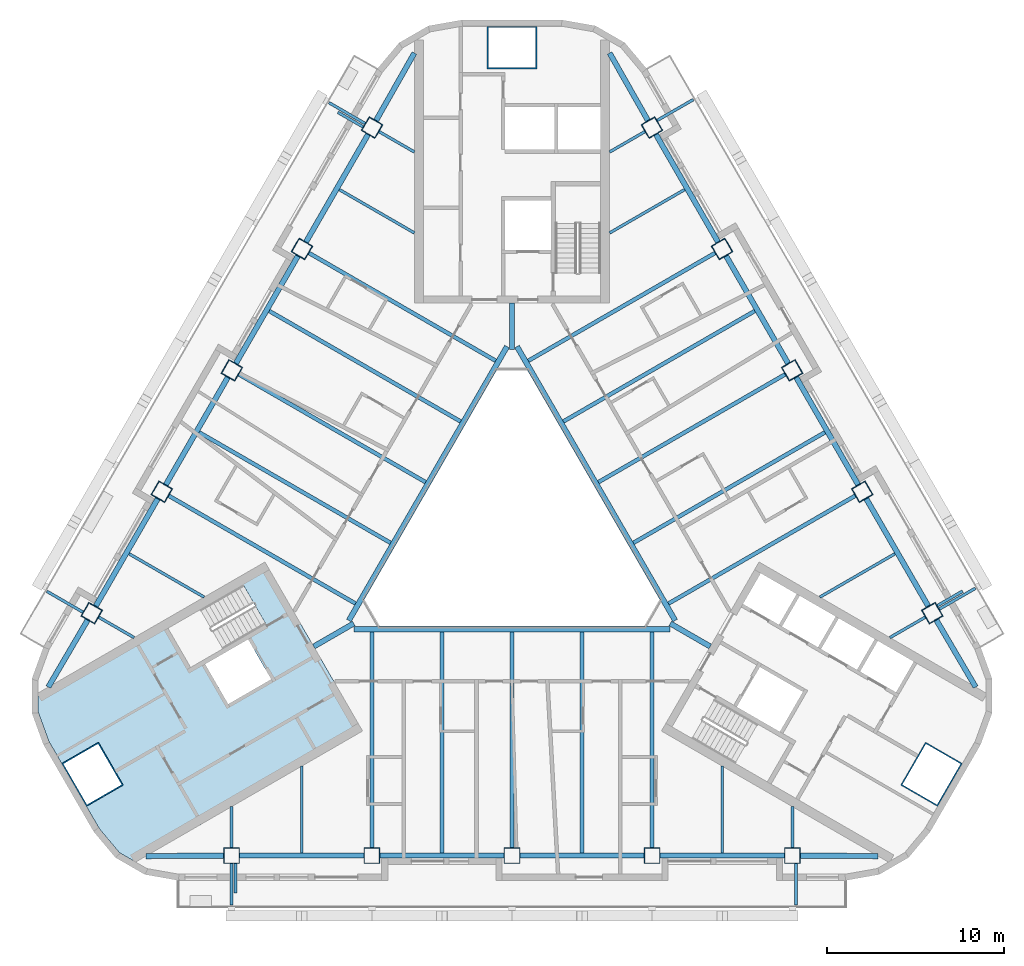
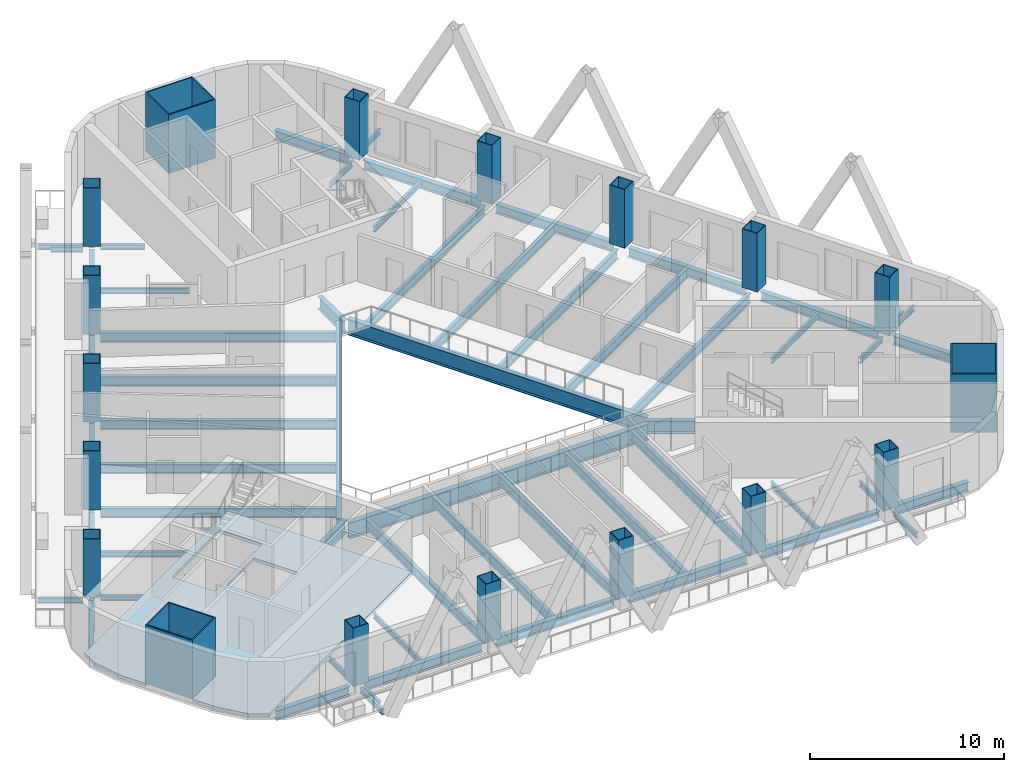
# One storey, part 1 of 14: 60 beams, 18 columns, 1 slab.
"""IFC4 building model written with IfcOpenShell, lengths in metres."""

from ifc_helpers import new_model, si_unit, direction, frame, origin, origin_2d, place, context, subcontext, project, spatial, polyline, rectangle, hollow_rectangle, i_section, outline, extrude, material, layer, layer_set, material_profile, profile_set, type_object, element, save


model = new_model("IFC4")

# Units and contexts
model_context = context("Model", 3, precision=1e-05, world=origin(), true_north=direction((0.0, 1.0)))
body_context = subcontext(model_context, "Body", "Model", "MODEL_VIEW")
ifc_project = project(units=[si_unit("LENGTHUNIT", "METRE"), si_unit("AREAUNIT", "SQUARE_METRE"), si_unit("VOLUMEUNIT", "CUBIC_METRE"), si_unit("PLANEANGLEUNIT", "RADIAN"), si_unit("MASSUNIT", "GRAM", prefix="KILO")], contexts=[model_context])

# Site, building, storey
site_placement = place(None, origin())
site = spatial("IfcSite", under=ifc_project, at=site_placement, CompositionType="ELEMENT")
building_placement = place(site_placement, origin())
building = spatial("IfcBuilding", under=site, at=building_placement, Name="Apuvela Tower Hotel", CompositionType="ELEMENT")
storey_placement = place(building_placement, frame((0.0, 0.0, 90.89990234375)))
storey = spatial("IfcBuildingStorey", under=building, at=storey_placement, Name="L20", CompositionType="ELEMENT", Elevation=90.89990234375)

# Columns
ifc_material_1 = material(Name="Steel S460", Category="steel")
ifc_material_profile_1 = material_profile(ifc_material_1, hollow_rectangle(XDim=2.800048828125, YDim=2.39990234375, WallThickness=0.070068359375, at=origin_2d()), Name="BOX 2800x2400x70")
ifc_material_2 = material(Name="Concrete C80/95", Category="concrete")
ifc_material_profile_2 = material_profile(ifc_material_2, rectangle(XDim=2.659912109375, YDim=2.260009765625, at=origin_2d()), Name="Concrete C80/95 infill")
ifc_profile_set_1 = profile_set([ifc_material_profile_1, ifc_material_profile_2], Name="Steel S460")
column_type_1 = type_object("IfcColumnType", Name="STR-MC mega column BOX 2800x2400x70", PredefinedType="COLUMN", material=ifc_profile_set_1)
for number, where, z_axis, x_axis, name in (
    (1, (0.0, 27.300048828125, 0.0), (0.0, 0.0, 1.0), (1.0, 0.0, 0.0), "Mega column MC2 N"),
    (2, (-23.642578125, -13.64990234375, 0.0), (0.0, 0.0, 1.0), (-0.5, 0.866025403784, 0.0), "Mega column MC2 SW"),
    (3, (23.642578125, -13.64990234375, 0.0), (0.0, 0.0, 1.0), (0.5, 0.866025403784, 0.0), "Mega column MC2 SE"),
):
    element("IfcColumn", number, at=place(storey_placement, frame(where, z_axis=z_axis, x_axis=x_axis)), inside=storey, type_object=column_type_1, Name=name, PredefinedType="COLUMN", context=body_context, shape_type="SweptSolid", body=[
        extrude(hollow_rectangle(XDim=2.800048828125, YDim=2.39990234375, WallThickness=0.070068359375, at=origin_2d()), origin(), (0.0, 0.0, 1.0), 3.7001953125),
    ])
ifc_material_profile_3 = material_profile(ifc_material_1, hollow_rectangle(XDim=0.89990234375, YDim=0.89990234375, WallThickness=0.0400390625, at=origin_2d()), Name="BOX 900x900x40")
ifc_material_profile_4 = material_profile(ifc_material_2, rectangle(XDim=0.820068359375, YDim=0.820068359375, at=origin_2d()), Name="Concrete C80/95 infill")
ifc_profile_set_2 = profile_set([ifc_material_profile_3, ifc_material_profile_4], Name="Steel S460")
column_type_2 = type_object("IfcColumnType", Name="STR-PC perimeter column BOX 900x900x40", PredefinedType="COLUMN", material=ifc_profile_set_2)
for number, where, z_axis, x_axis, name in (
    (4, (-15.800048828125, -18.22998046875, 0.0), (0.0, 0.0, 1.0), (-1.0, 0.0, 0.0), "Perimeter column C3 S1"),
    (5, (-7.89990234375, -18.22998046875, 0.0), (0.0, 0.0, 1.0), (-1.0, 0.0, 0.0), "Perimeter column C3 S2"),
    (6, (0.0, -18.22998046875, 0.0), (0.0, 0.0, 1.0), (-1.0, 0.0, 0.0), "Perimeter column C3 S3"),
    (7, (7.89990234375, -18.22998046875, 0.0), (0.0, 0.0, 1.0), (-1.0, 0.0, 0.0), "Perimeter column C3 S4"),
    (8, (15.800048828125, -18.22998046875, 0.0), (0.0, 0.0, 1.0), (-1.0, 0.0, 0.0), "Perimeter column C3 S5"),
    (9, (23.6875, -4.568115234375, 0.0), (0.0, 0.0, 1.0), (-0.5, 0.866025403784, 0.0), "Perimeter column C3 NE1"),
    (10, (19.737548828125, 2.2734375, 0.0), (0.0, 0.0, 1.0), (-0.5, 0.866025403784, 0.0), "Perimeter column C3 NE2"),
    (11, (15.78759765625, 9.114990234375, 0.0), (0.0, 0.0, 1.0), (-0.5, 0.866025403784, 0.0), "Perimeter column C3 NE3"),
    (12, (11.837646484375, 15.95654296875, 0.0), (0.0, 0.0, 1.0), (-0.5, 0.866025403784, 0.0), "Perimeter column C3 NE4"),
    (13, (7.8876953125, 22.798095703125, 0.0), (0.0, 0.0, 1.0), (-0.5, 0.866025403784, 0.0), "Perimeter column C3 NE5"),
    (14, (-7.8876953125, 22.798095703125, 0.0), (0.0, 0.0, 1.0), (0.5, 0.866025403784, 0.0), "Perimeter column C3 NW1"),
    (15, (-11.837646484375, 15.95654296875, 0.0), (0.0, 0.0, 1.0), (0.5, 0.866025403784, 0.0), "Perimeter column C3 NW2"),
    (16, (-15.78759765625, 9.114990234375, 0.0), (0.0, 0.0, 1.0), (0.5, 0.866025403784, 0.0), "Perimeter column C3 NW3"),
    (17, (-19.737548828125, 2.2734375, 0.0), (0.0, 0.0, 1.0), (0.5, 0.866025403784, 0.0), "Perimeter column C3 NW4"),
    (18, (-23.6875, -4.568115234375, 0.0), (0.0, 0.0, 1.0), (0.5, 0.866025403784, 0.0), "Perimeter column C3 NW5"),
):
    element("IfcColumn", number, at=place(storey_placement, frame(where, z_axis=z_axis, x_axis=x_axis)), inside=storey, type_object=column_type_2, Name=name, PredefinedType="COLUMN", context=body_context, shape_type="SweptSolid", body=[
        extrude(hollow_rectangle(XDim=0.89990234375, YDim=0.89990234375, WallThickness=0.0400390625, at=origin_2d()), origin(), (0.0, 0.0, 1.0), 3.7001953125),
    ])

# Beams
ifc_material_3 = material(Name="Steel S355", Category="steel")
ifc_material_profile_5 = material_profile(ifc_material_3, i_section(OverallWidth=0.159912109375, OverallDepth=0.330078125, WebThickness=0.007568359375, FlangeThickness=0.011474609375, at=origin_2d()), Name="IPE 330")
ifc_profile_set_3 = profile_set([ifc_material_profile_5], Name="Steel S355")
beam_type_1 = type_object("IfcBeamType", Name="ENV-BALCONY-BEAM-IPE330", PredefinedType="BEAM", material=ifc_profile_set_3)
beam_1_placement = place(storey_placement, frame((-15.800048828125, -18.679931640625, -0.31494140625), z_axis=(0.0, -1.0, 0.0), x_axis=(1.0, 0.0, 0.0)))
element("IfcBeam", 19, at=beam_1_placement, inside=storey, type_object=beam_type_1, Name="Balcony cantilever beam S1 L20", PredefinedType="BEAM", context=body_context, shape_type="SweptSolid", body=[
    extrude(i_section(OverallWidth=0.159912109375, OverallDepth=0.330078125, WebThickness=0.007568359375, FlangeThickness=0.011474609375, at=origin_2d()), origin(), (0.0, 0.0, 1.0), 2.35009765625),
])
beam_2_placement = place(storey_placement, frame((-15.580078125, -18.679931640625, -0.31494140625), z_axis=(0.0, -1.0, 0.0), x_axis=(1.0, 0.0, 0.0)))
element("IfcBeam", 20, at=beam_2_placement, inside=storey, type_object=beam_type_1, Name="Balcony cantilever beam S2 L20", PredefinedType="BEAM", context=body_context, shape_type="SweptSolid", body=[
    extrude(i_section(OverallWidth=0.159912109375, OverallDepth=0.330078125, WebThickness=0.007568359375, FlangeThickness=0.011474609375, at=origin_2d()), origin(), (0.0, 0.0, 1.0), 1.650146484375),
])
for number, where, z_axis, x_axis, name in (
    (21, (16.0, -18.679931640625, -0.31494140625), (0.0, -1.0, 0.0), (1.0, 0.0, 0.0), "Balcony cantilever beam S3 L20"),
    (22, (24.077392578125, -4.34326171875, -0.31494140625), (0.866016039709, 0.500016218704, 0.0), (-0.500016218704, 0.866016039709, 0.0), "Balcony cantilever beam NE1 L20"),
):
    element("IfcBeam", number, at=place(storey_placement, frame(where, z_axis=z_axis, x_axis=x_axis)), inside=storey, type_object=beam_type_1, Name=name, PredefinedType="BEAM", context=body_context, shape_type="SweptSolid", body=[
        extrude(i_section(OverallWidth=0.159912109375, OverallDepth=0.330078125, WebThickness=0.007568359375, FlangeThickness=0.011474609375, at=origin_2d()), origin(), (0.0, 0.0, 1.0), 2.35009765625),
    ])
beam_3_placement = place(storey_placement, frame((23.96728515625, -4.152587890625, -0.31494140625), z_axis=(0.866040211805, 0.499974350878, 0.0), x_axis=(-0.499974350878, 0.866040211805, 0.0)))
element("IfcBeam", 23, at=beam_3_placement, inside=storey, type_object=beam_type_1, Name="Balcony cantilever beam NE2 L20", PredefinedType="BEAM", context=body_context, shape_type="SweptSolid", body=[
    extrude(i_section(OverallWidth=0.159912109375, OverallDepth=0.330078125, WebThickness=0.007568359375, FlangeThickness=0.011474609375, at=origin_2d()), origin(), (0.0, 0.0, 1.0), 1.64990234375),
])
beam_4_placement = place(storey_placement, frame((8.177490234375, 23.1962890625, -0.31494140625), z_axis=(0.865990062348, 0.500061208168, 0.0), x_axis=(-0.500061208168, 0.865990062348, 0.0)))
element("IfcBeam", 24, at=beam_4_placement, inside=storey, type_object=beam_type_1, Name="Balcony cantilever beam NE3 L20", PredefinedType="BEAM", context=body_context, shape_type="SweptSolid", body=[
    extrude(i_section(OverallWidth=0.159912109375, OverallDepth=0.330078125, WebThickness=0.007568359375, FlangeThickness=0.011474609375, at=origin_2d()), origin(), (0.0, 0.0, 1.0), 2.349853515625),
])
beam_5_placement = place(storey_placement, frame((-8.27734375, 23.023193359375, -0.31494140625), z_axis=(-0.866016039709, 0.500016218704, 0.0), x_axis=(-0.500016218704, -0.866016039709, 0.0)))
element("IfcBeam", 25, at=beam_5_placement, inside=storey, type_object=beam_type_1, Name="Balcony cantilever beam NW1 L20", PredefinedType="BEAM", context=body_context, shape_type="SweptSolid", body=[
    extrude(i_section(OverallWidth=0.159912109375, OverallDepth=0.330078125, WebThickness=0.007568359375, FlangeThickness=0.011474609375, at=origin_2d()), origin(), (0.0, 0.0, 1.0), 2.35009765625),
])
beam_6_placement = place(storey_placement, frame((-8.387451171875, 22.832763671875, -0.31494140625), z_axis=(-0.866040211805, 0.499974350878, 0.0), x_axis=(-0.499974350878, -0.866040211805, 0.0)))
element("IfcBeam", 26, at=beam_6_placement, inside=storey, type_object=beam_type_1, Name="Balcony cantilever beam NW2 L20", PredefinedType="BEAM", context=body_context, shape_type="SweptSolid", body=[
    extrude(i_section(OverallWidth=0.159912109375, OverallDepth=0.330078125, WebThickness=0.007568359375, FlangeThickness=0.011474609375, at=origin_2d()), origin(), (0.0, 0.0, 1.0), 1.64990234375),
])
beam_7_placement = place(storey_placement, frame((-24.177490234375, -4.516357421875, -0.31494140625), z_axis=(-0.865990062348, 0.500061208168, 0.0), x_axis=(-0.500061208168, -0.865990062348, 0.0)))
element("IfcBeam", 27, at=beam_7_placement, inside=storey, type_object=beam_type_1, Name="Balcony cantilever beam NW3 L20", PredefinedType="BEAM", context=body_context, shape_type="SweptSolid", body=[
    extrude(i_section(OverallWidth=0.159912109375, OverallDepth=0.330078125, WebThickness=0.007568359375, FlangeThickness=0.011474609375, at=origin_2d()), origin(), (0.0, 0.0, 1.0), 2.349853515625),
])
ifc_material_profile_6 = material_profile(ifc_material_3, i_section(OverallWidth=0.159912109375, OverallDepth=0.330078125, WebThickness=0.007568359375, FlangeThickness=0.011474609375, at=origin_2d()), Name="IPE 330")
ifc_profile_set_4 = profile_set([ifc_material_profile_6], Name="Steel S355")
beam_type_2 = type_object("IfcBeamType", Name="STR-B floor beam IPE 330", PredefinedType="BEAM", material=ifc_profile_set_4)
beam_8_placement = place(storey_placement, frame((23.2978515625, -4.793212890625, -0.31494140625), z_axis=(-0.866000531106, -0.500043078269, 0.0), x_axis=(0.500043078269, -0.866000531106, 0.0)))
element("IfcBeam", 28, at=beam_8_placement, inside=storey, type_object=beam_type_2, Name="Floor beam B1 NE1", PredefinedType="BEAM", context=body_context, shape_type="SweptSolid", body=[
    extrude(i_section(OverallWidth=0.159912109375, OverallDepth=0.330078125, WebThickness=0.007568359375, FlangeThickness=0.011474609375, at=origin_2d()), origin(), (0.0, 0.0, 1.0), 2.306884765625),
])
for number, where, z_axis, x_axis, name in (
    (29, (21.582763671875, -1.222412109375, -0.31494140625), (-0.866015056278, -0.500017921979, 0.0), (0.500017921979, -0.866015056278, 0.0), "Floor beam B1 NE2"),
    (30, (9.732666015625, 19.302490234375, -0.31494140625), (-0.866015056278, -0.500017921979, 0.0), (0.500017921979, -0.866015056278, 0.0), "Floor beam B1 NE8"),
):
    element("IfcBeam", number, at=place(storey_placement, frame(where, z_axis=z_axis, x_axis=x_axis)), inside=storey, type_object=beam_type_2, Name=name, PredefinedType="BEAM", context=body_context, shape_type="SweptSolid", body=[
        extrude(i_section(OverallWidth=0.159912109375, OverallDepth=0.330078125, WebThickness=0.007568359375, FlangeThickness=0.011474609375, at=origin_2d()), origin(), (0.0, 0.0, 1.0), 4.887451171875),
    ])
for number, where, z_axis, x_axis, name in (
    (31, (7.497802734375, 22.5732421875, -0.31494140625), (-0.866000531106, -0.500043078269, 0.0), (0.500043078269, -0.866000531106, 0.0), "Floor beam B1 NE9"),
    (32, (-7.497802734375, 22.5732421875, -0.31494140625), (0.866000531106, -0.500043078269, 0.0), (0.500043078269, 0.866000531106, 0.0), "Floor beam B1 NW1"),
):
    element("IfcBeam", number, at=place(storey_placement, frame(where, z_axis=z_axis, x_axis=x_axis)), inside=storey, type_object=beam_type_2, Name=name, PredefinedType="BEAM", context=body_context, shape_type="SweptSolid", body=[
        extrude(i_section(OverallWidth=0.159912109375, OverallDepth=0.330078125, WebThickness=0.007568359375, FlangeThickness=0.011474609375, at=origin_2d()), origin(), (0.0, 0.0, 1.0), 2.306884765625),
    ])
for number, where, z_axis, x_axis, name in (
    (33, (-9.732666015625, 19.302490234375, -0.31494140625), (0.866015056278, -0.500017921979, 0.0), (0.500017921979, 0.866015056278, 0.0), "Floor beam B1 NW2"),
    (34, (-21.582763671875, -1.222412109375, -0.31494140625), (0.866015056278, -0.500017921979, 0.0), (0.500017921979, 0.866015056278, 0.0), "Floor beam B1 NW8"),
):
    element("IfcBeam", number, at=place(storey_placement, frame(where, z_axis=z_axis, x_axis=x_axis)), inside=storey, type_object=beam_type_2, Name=name, PredefinedType="BEAM", context=body_context, shape_type="SweptSolid", body=[
        extrude(i_section(OverallWidth=0.159912109375, OverallDepth=0.330078125, WebThickness=0.007568359375, FlangeThickness=0.011474609375, at=origin_2d()), origin(), (0.0, 0.0, 1.0), 4.887451171875),
    ])
beam_9_placement = place(storey_placement, frame((-23.2978515625, -4.793212890625, -0.31494140625), z_axis=(0.866000531106, -0.500043078269, 0.0), x_axis=(0.500043078269, 0.866000531106, 0.0)))
element("IfcBeam", 35, at=beam_9_placement, inside=storey, type_object=beam_type_2, Name="Floor beam B1 NW9", PredefinedType="BEAM", context=body_context, shape_type="SweptSolid", body=[
    extrude(i_section(OverallWidth=0.159912109375, OverallDepth=0.330078125, WebThickness=0.007568359375, FlangeThickness=0.011474609375, at=origin_2d()), origin(), (0.0, 0.0, 1.0), 2.306884765625),
])
beam_10_placement = place(storey_placement, frame((-15.800048828125, -17.780029296875, -0.31494140625), z_axis=(0.0, 1.0, 0.0), x_axis=(-1.0, 0.0, 0.0)))
element("IfcBeam", 36, at=beam_10_placement, inside=storey, type_object=beam_type_2, Name="Floor beam B1 S1", PredefinedType="BEAM", context=body_context, shape_type="SweptSolid", body=[
    extrude(i_section(OverallWidth=0.159912109375, OverallDepth=0.330078125, WebThickness=0.007568359375, FlangeThickness=0.011474609375, at=origin_2d()), origin(), (0.0, 0.0, 1.0), 2.30712890625),
])
for number, where, z_axis, x_axis, name in (
    (37, (-11.85009765625, -18.080078125, -0.31494140625), (0.0, 1.0, 0.0), (-1.0, 0.0, 0.0), "Floor beam B1 S2"),
    (38, (11.85009765625, -18.080078125, -0.31494140625), (0.0, 1.0, 0.0), (-1.0, 0.0, 0.0), "Floor beam B1 S8"),
):
    element("IfcBeam", number, at=place(storey_placement, frame(where, z_axis=z_axis, x_axis=x_axis)), inside=storey, type_object=beam_type_2, Name=name, PredefinedType="BEAM", context=body_context, shape_type="SweptSolid", body=[
        extrude(i_section(OverallWidth=0.159912109375, OverallDepth=0.330078125, WebThickness=0.007568359375, FlangeThickness=0.011474609375, at=origin_2d()), origin(), (0.0, 0.0, 1.0), 4.8876953125),
    ])
beam_11_placement = place(storey_placement, frame((15.800048828125, -17.780029296875, -0.31494140625), z_axis=(0.0, 1.0, 0.0), x_axis=(-1.0, 0.0, 0.0)))
element("IfcBeam", 39, at=beam_11_placement, inside=storey, type_object=beam_type_2, Name="Floor beam B1 S9", PredefinedType="BEAM", context=body_context, shape_type="SweptSolid", body=[
    extrude(i_section(OverallWidth=0.159912109375, OverallDepth=0.330078125, WebThickness=0.007568359375, FlangeThickness=0.011474609375, at=origin_2d()), origin(), (0.0, 0.0, 1.0), 2.30712890625),
])
ifc_material_profile_7 = material_profile(ifc_material_3, i_section(OverallWidth=0.219970703125, OverallDepth=0.60009765625, WebThickness=0.011962890625, FlangeThickness=0.01904296875, at=origin_2d()), Name="IPE 600")
ifc_profile_set_5 = profile_set([ifc_material_profile_7], Name="Steel S355")
beam_type_3 = type_object("IfcBeamType", Name="STR-B floor beam IPE 600", PredefinedType="BEAM", material=ifc_profile_set_5)
beam_12_placement = place(storey_placement, frame((19.347900390625, 2.04833984375, -0.449951171875), z_axis=(-0.866028751965, -0.499994200737, 0.0), x_axis=(0.499994200737, -0.866028751965, 0.0)))
element("IfcBeam", 40, at=beam_12_placement, inside=storey, type_object=beam_type_3, Name="Floor beam B8 NE3", PredefinedType="BEAM", context=body_context, shape_type="SweptSolid", body=[
    extrude(i_section(OverallWidth=0.219970703125, OverallDepth=0.60009765625, WebThickness=0.011962890625, FlangeThickness=0.01904296875, at=origin_2d()), origin(), (0.0, 0.0, 1.0), 12.157958984375),
])
beam_13_placement = place(storey_placement, frame((17.6328125, 5.619140625, -0.449951171875), z_axis=(-0.866027636335, -0.499996133089, 0.0), x_axis=(0.499996133089, -0.866027636335, 0.0)))
element("IfcBeam", 41, at=beam_13_placement, inside=storey, type_object=beam_type_3, Name="Floor beam B8 NE4", PredefinedType="BEAM", context=body_context, shape_type="SweptSolid", body=[
    extrude(i_section(OverallWidth=0.219970703125, OverallDepth=0.60009765625, WebThickness=0.011962890625, FlangeThickness=0.01904296875, at=origin_2d()), origin(), (0.0, 0.0, 1.0), 12.4580078125),
])
beam_14_placement = place(storey_placement, frame((15.39794921875, 8.889892578125, -0.449951171875), z_axis=(-0.866028751965, -0.499994200737, 0.0), x_axis=(0.499994200737, -0.866028751965, 0.0)))
element("IfcBeam", 42, at=beam_14_placement, inside=storey, type_object=beam_type_3, Name="Floor beam B8 NE5", PredefinedType="BEAM", context=body_context, shape_type="SweptSolid", body=[
    extrude(i_section(OverallWidth=0.219970703125, OverallDepth=0.60009765625, WebThickness=0.011962890625, FlangeThickness=0.01904296875, at=origin_2d()), origin(), (0.0, 0.0, 1.0), 12.157958984375),
])
beam_15_placement = place(storey_placement, frame((13.6826171875, 12.460693359375, -0.449951171875), z_axis=(-0.866022737053, -0.500004618886, 0.0), x_axis=(0.500004618886, -0.866022737053, 0.0)))
element("IfcBeam", 43, at=beam_15_placement, inside=storey, type_object=beam_type_3, Name="Floor beam B8 NE6", PredefinedType="BEAM", context=body_context, shape_type="SweptSolid", body=[
    extrude(i_section(OverallWidth=0.219970703125, OverallDepth=0.60009765625, WebThickness=0.011962890625, FlangeThickness=0.01904296875, at=origin_2d()), origin(), (0.0, 0.0, 1.0), 12.4580078125),
])
for number, where, z_axis, x_axis, name in (
    (44, (11.447998046875, 15.731689453125, -0.449951171875), (-0.866025076934, -0.500000566121, 0.0), (0.500000566121, -0.866025076934, 0.0), "Floor beam B8 NE7"),
    (45, (-11.447998046875, 15.731689453125, -0.449951171875), (0.866025076934, -0.500000566121, 0.0), (0.500000566121, 0.866025076934, 0.0), "Floor beam B8 NW3"),
):
    element("IfcBeam", number, at=place(storey_placement, frame(where, z_axis=z_axis, x_axis=x_axis)), inside=storey, type_object=beam_type_3, Name=name, PredefinedType="BEAM", context=body_context, shape_type="SweptSolid", body=[
        extrude(i_section(OverallWidth=0.219970703125, OverallDepth=0.60009765625, WebThickness=0.011962890625, FlangeThickness=0.01904296875, at=origin_2d()), origin(), (0.0, 0.0, 1.0), 12.158203125),
    ])
beam_16_placement = place(storey_placement, frame((-13.6826171875, 12.460693359375, -0.449951171875), z_axis=(0.866022737053, -0.500004618886, 0.0), x_axis=(0.500004618886, 0.866022737053, 0.0)))
element("IfcBeam", 46, at=beam_16_placement, inside=storey, type_object=beam_type_3, Name="Floor beam B8 NW4", PredefinedType="BEAM", context=body_context, shape_type="SweptSolid", body=[
    extrude(i_section(OverallWidth=0.219970703125, OverallDepth=0.60009765625, WebThickness=0.011962890625, FlangeThickness=0.01904296875, at=origin_2d()), origin(), (0.0, 0.0, 1.0), 12.4580078125),
])
beam_17_placement = place(storey_placement, frame((-15.39794921875, 8.889892578125, -0.449951171875), z_axis=(0.866028751965, -0.499994200737, 0.0), x_axis=(0.499994200737, 0.866028751965, 0.0)))
element("IfcBeam", 47, at=beam_17_placement, inside=storey, type_object=beam_type_3, Name="Floor beam B8 NW5", PredefinedType="BEAM", context=body_context, shape_type="SweptSolid", body=[
    extrude(i_section(OverallWidth=0.219970703125, OverallDepth=0.60009765625, WebThickness=0.011962890625, FlangeThickness=0.01904296875, at=origin_2d()), origin(), (0.0, 0.0, 1.0), 12.157958984375),
])
beam_18_placement = place(storey_placement, frame((-17.6328125, 5.619140625, -0.449951171875), z_axis=(0.866027636335, -0.499996133089, 0.0), x_axis=(0.499996133089, 0.866027636335, 0.0)))
element("IfcBeam", 48, at=beam_18_placement, inside=storey, type_object=beam_type_3, Name="Floor beam B8 NW6", PredefinedType="BEAM", context=body_context, shape_type="SweptSolid", body=[
    extrude(i_section(OverallWidth=0.219970703125, OverallDepth=0.60009765625, WebThickness=0.011962890625, FlangeThickness=0.01904296875, at=origin_2d()), origin(), (0.0, 0.0, 1.0), 12.4580078125),
])
for number, where, z_axis, x_axis, name in (
    (49, (-19.347900390625, 2.04833984375, -0.449951171875), (0.866028751965, -0.499994200737, 0.0), (0.499994200737, 0.866028751965, 0.0), "Floor beam B8 NW7"),
    (50, (-7.89990234375, -17.780029296875, -0.449951171875), (0.0, 1.0, 0.0), (-1.0, 0.0, 0.0), "Floor beam B8 S3"),
):
    element("IfcBeam", number, at=place(storey_placement, frame(where, z_axis=z_axis, x_axis=x_axis)), inside=storey, type_object=beam_type_3, Name=name, PredefinedType="BEAM", context=body_context, shape_type="SweptSolid", body=[
        extrude(i_section(OverallWidth=0.219970703125, OverallDepth=0.60009765625, WebThickness=0.011962890625, FlangeThickness=0.01904296875, at=origin_2d()), origin(), (0.0, 0.0, 1.0), 12.157958984375),
    ])
beam_19_placement = place(storey_placement, frame((-3.949951171875, -18.080078125, -0.449951171875), z_axis=(0.0, 1.0, 0.0), x_axis=(-1.0, 0.0, 0.0)))
element("IfcBeam", 51, at=beam_19_placement, inside=storey, type_object=beam_type_3, Name="Floor beam B8 S4", PredefinedType="BEAM", context=body_context, shape_type="SweptSolid", body=[
    extrude(i_section(OverallWidth=0.219970703125, OverallDepth=0.60009765625, WebThickness=0.011962890625, FlangeThickness=0.01904296875, at=origin_2d()), origin(), (0.0, 0.0, 1.0), 12.4580078125),
])
beam_20_placement = place(storey_placement, frame((0.0, -17.780029296875, -0.449951171875), z_axis=(0.0, 1.0, 0.0), x_axis=(-1.0, 0.0, 0.0)))
element("IfcBeam", 52, at=beam_20_placement, inside=storey, type_object=beam_type_3, Name="Floor beam B8 S5", PredefinedType="BEAM", context=body_context, shape_type="SweptSolid", body=[
    extrude(i_section(OverallWidth=0.219970703125, OverallDepth=0.60009765625, WebThickness=0.011962890625, FlangeThickness=0.01904296875, at=origin_2d()), origin(), (0.0, 0.0, 1.0), 12.157958984375),
])
beam_21_placement = place(storey_placement, frame((3.949951171875, -18.080078125, -0.449951171875), z_axis=(0.0, 1.0, 0.0), x_axis=(-1.0, 0.0, 0.0)))
element("IfcBeam", 53, at=beam_21_placement, inside=storey, type_object=beam_type_3, Name="Floor beam B8 S6", PredefinedType="BEAM", context=body_context, shape_type="SweptSolid", body=[
    extrude(i_section(OverallWidth=0.219970703125, OverallDepth=0.60009765625, WebThickness=0.011962890625, FlangeThickness=0.01904296875, at=origin_2d()), origin(), (0.0, 0.0, 1.0), 12.4580078125),
])
beam_22_placement = place(storey_placement, frame((7.89990234375, -17.780029296875, -0.449951171875), z_axis=(0.0, 1.0, 0.0), x_axis=(-1.0, 0.0, 0.0)))
element("IfcBeam", 54, at=beam_22_placement, inside=storey, type_object=beam_type_3, Name="Floor beam B8 S7", PredefinedType="BEAM", context=body_context, shape_type="SweptSolid", body=[
    extrude(i_section(OverallWidth=0.219970703125, OverallDepth=0.60009765625, WebThickness=0.011962890625, FlangeThickness=0.01904296875, at=origin_2d()), origin(), (0.0, 0.0, 1.0), 12.157958984375),
])
ifc_material_profile_8 = material_profile(ifc_material_3, i_section(OverallWidth=0.302001953125, OverallDepth=1.008056640625, WebThickness=0.02099609375, FlangeThickness=0.0400390625, at=origin_2d()), Name="HE 1000 M")
ifc_profile_set_6 = profile_set([ifc_material_profile_8], Name="Steel S355")
beam_type_4 = type_object("IfcBeamType", Name="STR-G atrium ring girder HE 1000 M", PredefinedType="BEAM", material=ifc_profile_set_6)
for number, where, z_axis, x_axis, name in (
    (55, (-0.28076171875, 10.455810546875, -0.65380859375), (-0.500000611842, -0.866025050537, 0.0), (0.866025050537, -0.500000611842, 0.0), "Atrium ring girder G1 N-SW"),
    (56, (-8.91455078125, -5.470947265625, -0.65380859375), (1.0, 0.0, 0.0), (0.0, 1.0, 0.0), "Atrium ring girder G1 SW-SE"),
    (57, (9.1953125, -4.984619140625, -0.65380859375), (-0.500000611842, 0.866025050537, 0.0), (-0.866025050537, -0.500000611842, 0.0), "Atrium ring girder G1 SE-N"),
):
    element("IfcBeam", number, at=place(storey_placement, frame(where, z_axis=z_axis, x_axis=x_axis)), inside=storey, type_object=beam_type_4, Name=name, PredefinedType="BEAM", context=body_context, shape_type="SweptSolid", body=[
        extrude(i_section(OverallWidth=0.302001953125, OverallDepth=1.008056640625, WebThickness=0.02099609375, FlangeThickness=0.0400390625, at=origin_2d()), origin(), (0.0, 0.0, 1.0), 17.8291015625),
    ])
ifc_material_profile_9 = material_profile(ifc_material_3, i_section(OverallWidth=0.300048828125, OverallDepth=0.800048828125, WebThickness=0.017578125, FlangeThickness=0.032958984375, at=origin_2d()), Name="HE 800 B")
ifc_profile_set_7 = profile_set([ifc_material_profile_9], Name="Steel S355")
beam_type_5 = type_object("IfcBeamType", Name="STR-GT core tie beam HE 800 B", PredefinedType="BEAM", material=ifc_profile_set_7)
for number, where, z_axis, x_axis, name in (
    (58, (0.0, 12.89990234375, -0.5498046875), (0.0, -1.0, 0.0), (1.0, 0.0, 0.0), "Core tie beam GT1 N"),
    (59, (-11.171630859375, -6.449951171875, -0.5498046875), (0.865997922154, 0.500047596559, 0.0), (-0.500047596559, 0.865997922154, 0.0), "Core tie beam GT1 SW"),
    (60, (11.171630859375, -6.449951171875, -0.5498046875), (-0.865997922154, 0.500047596559, 0.0), (-0.500047596559, -0.865997922154, 0.0), "Core tie beam GT1 SE"),
):
    element("IfcBeam", number, at=place(storey_placement, frame(where, z_axis=z_axis, x_axis=x_axis)), inside=storey, type_object=beam_type_5, Name=name, PredefinedType="BEAM", context=body_context, shape_type="SweptSolid", body=[
        extrude(i_section(OverallWidth=0.300048828125, OverallDepth=0.800048828125, WebThickness=0.017578125, FlangeThickness=0.032958984375, at=origin_2d()), origin(), (0.0, 0.0, 1.0), 2.599853515625),
    ])
ifc_material_profile_10 = material_profile(ifc_material_3, i_section(OverallWidth=0.300048828125, OverallDepth=0.590087890625, WebThickness=0.012939453125, FlangeThickness=0.02490234375, at=origin_2d()), Name="HE 600 A")
ifc_profile_set_8 = profile_set([ifc_material_profile_10], Name="Steel S355")
beam_type_6 = type_object("IfcBeamType", Name="STR-SB spandrel beam HE 600 A", PredefinedType="SPANDREL", material=ifc_profile_set_8)
for number, where, z_axis, x_axis, name in (
    (61, (-15.35009765625, -18.22998046875, -0.44482421875), (1.0, 0.0, 0.0), (0.0, 1.0, 0.0), "Spandrel beam SB2 S1"),
    (62, (-7.449951171875, -18.22998046875, -0.44482421875), (1.0, 0.0, 0.0), (0.0, 1.0, 0.0), "Spandrel beam SB2 S2"),
    (63, (0.449951171875, -18.22998046875, -0.44482421875), (1.0, 0.0, 0.0), (0.0, 1.0, 0.0), "Spandrel beam SB2 S3"),
    (64, (8.35009765625, -18.22998046875, -0.44482421875), (1.0, 0.0, 0.0), (0.0, 1.0, 0.0), "Spandrel beam SB2 S4"),
    (65, (23.462646484375, -4.178466796875, -0.44482421875), (-0.499995173006, 0.866028190633, 0.0), (-0.866028190633, -0.499995173006, 0.0), "Spandrel beam SB2 NE1"),
    (66, (19.5126953125, 2.6630859375, -0.44482421875), (-0.499995173006, 0.866028190633, 0.0), (-0.866028190633, -0.499995173006, 0.0), "Spandrel beam SB2 NE2"),
    (67, (15.5625, 9.504638671875, -0.44482421875), (-0.499995173006, 0.866028190633, 0.0), (-0.866028190633, -0.499995173006, 0.0), "Spandrel beam SB2 NE3"),
    (68, (11.612548828125, 16.34619140625, -0.44482421875), (-0.499995173006, 0.866028190633, 0.0), (-0.866028190633, -0.499995173006, 0.0), "Spandrel beam SB2 NE4"),
    (69, (-8.112548828125, 22.408447265625, -0.44482421875), (-0.499995173006, -0.866028190633, 0.0), (0.866028190633, -0.499995173006, 0.0), "Spandrel beam SB2 NW1"),
    (70, (-12.0625, 15.56689453125, -0.44482421875), (-0.499995173006, -0.866028190633, 0.0), (0.866028190633, -0.499995173006, 0.0), "Spandrel beam SB2 NW2"),
    (71, (-16.0126953125, 8.725341796875, -0.44482421875), (-0.499995173006, -0.866028190633, 0.0), (0.866028190633, -0.499995173006, 0.0), "Spandrel beam SB2 NW3"),
    (72, (-19.962646484375, 1.8837890625, -0.44482421875), (-0.499995173006, -0.866028190633, 0.0), (0.866028190633, -0.499995173006, 0.0), "Spandrel beam SB2 NW4"),
):
    element("IfcBeam", number, at=place(storey_placement, frame(where, z_axis=z_axis, x_axis=x_axis)), inside=storey, type_object=beam_type_6, Name=name, PredefinedType="SPANDREL", context=body_context, shape_type="SweptSolid", body=[
        extrude(i_section(OverallWidth=0.300048828125, OverallDepth=0.590087890625, WebThickness=0.012939453125, FlangeThickness=0.02490234375, at=origin_2d()), origin(), (0.0, 0.0, 1.0), 7.0),
    ])
for number, where, z_axis, x_axis, name in (
    (73, (-16.25, -18.233154296875, -0.44482421875), (-0.999976528586, -0.006851443461, 0.0), (0.006851443461, -0.999976528586, 0.0), "Spandrel beam SB2 S1-SW"),
    (74, (16.25, -18.233154296875, -0.44482421875), (0.999976528586, -0.006851443461, 0.0), (0.006851443461, 0.999976528586, 0.0), "Spandrel beam SB2 S5-SE"),
    (75, (23.915283203125, -4.956298828125, -0.44482421875), (0.505951068275, -0.862562181244, 0.0), (0.862562181244, 0.505951068275, 0.0), "Spandrel beam SB2 NE1-SE"),
    (76, (7.665283203125, 23.189453125, -0.44482421875), (-0.494043860968, 0.869436980718, 0.0), (-0.869436980718, -0.494043860968, 0.0), "Spandrel beam SB2 NE5-N"),
    (77, (-7.665283203125, 23.189453125, -0.44482421875), (0.494043860968, 0.869436980718, 0.0), (-0.869436980718, 0.494043860968, 0.0), "Spandrel beam SB2 NW1-N"),
    (78, (-23.915283203125, -4.956298828125, -0.44482421875), (-0.505951068275, -0.862562181244, 0.0), (0.862562181244, -0.505951068275, 0.0), "Spandrel beam SB2 NW5-SW"),
):
    element("IfcBeam", number, at=place(storey_placement, frame(where, z_axis=z_axis, x_axis=x_axis)), inside=storey, type_object=beam_type_6, Name=name, PredefinedType="SPANDREL", context=body_context, shape_type="SweptSolid", body=[
        extrude(i_section(OverallWidth=0.300048828125, OverallDepth=0.590087890625, WebThickness=0.012939453125, FlangeThickness=0.02490234375, at=origin_2d()), origin(), (0.0, 0.0, 1.0), 4.3828125),
    ])

# Slab
ifc_material_4 = material(Name="Concrete C50/60", Category="concrete")
ifc_layer = layer(ifc_material_4, 0.199951171875)
ifc_layer_set = layer_set([ifc_layer], Name="COR-FLOOR-200")
slab_type = type_object("IfcSlabType", Name="COR-FLOOR-200", PredefinedType="FLOOR", material=ifc_layer_set)
slab_placement = place(storey_placement, frame((0.0, 0.0, -0.199951171875)))
element("IfcSlab", 79, at=slab_placement, inside=storey, type_object=slab_type, Name="Core floor SW", PredefinedType="FLOOR", context=body_context, shape_type="SweptSolid", body=[
    extrude(outline(polyline([(-26.711181640625, -9.07080078125), (-26.711181640625, -10.123291015625), (-26.109375, -11.77734375), (-25.381591796875, -13.03759765625), (-23.30322265625, -11.837646484375), (-21.9033203125, -14.262451171875), (-23.981689453125, -15.46240234375), (-23.254150390625, -16.72265625), (-22.122802734375, -18.071044921875), (-21.211181640625, -18.59716796875), (-8.421630859375, -11.213134765625), (-13.921630859375, -1.68701171875), (-26.711181640625, -9.07080078125)]), holes=[polyline([(-13.874267578125, -5.18115234375), (-18.112548828125, -7.628173828125), (-19.387451171875, -5.419921875), (-15.149169921875, -2.972900390625), (-13.874267578125, -5.18115234375)]), polyline([(-13.56982421875, -8.29638671875), (-15.99462890625, -9.6962890625), (-17.294677734375, -7.444580078125), (-14.869873046875, -6.044677734375), (-13.56982421875, -8.29638671875)])]), origin(), (0.0, 0.0, 1.0), 0.199951171875),
])

save(model, "model.ifc")
